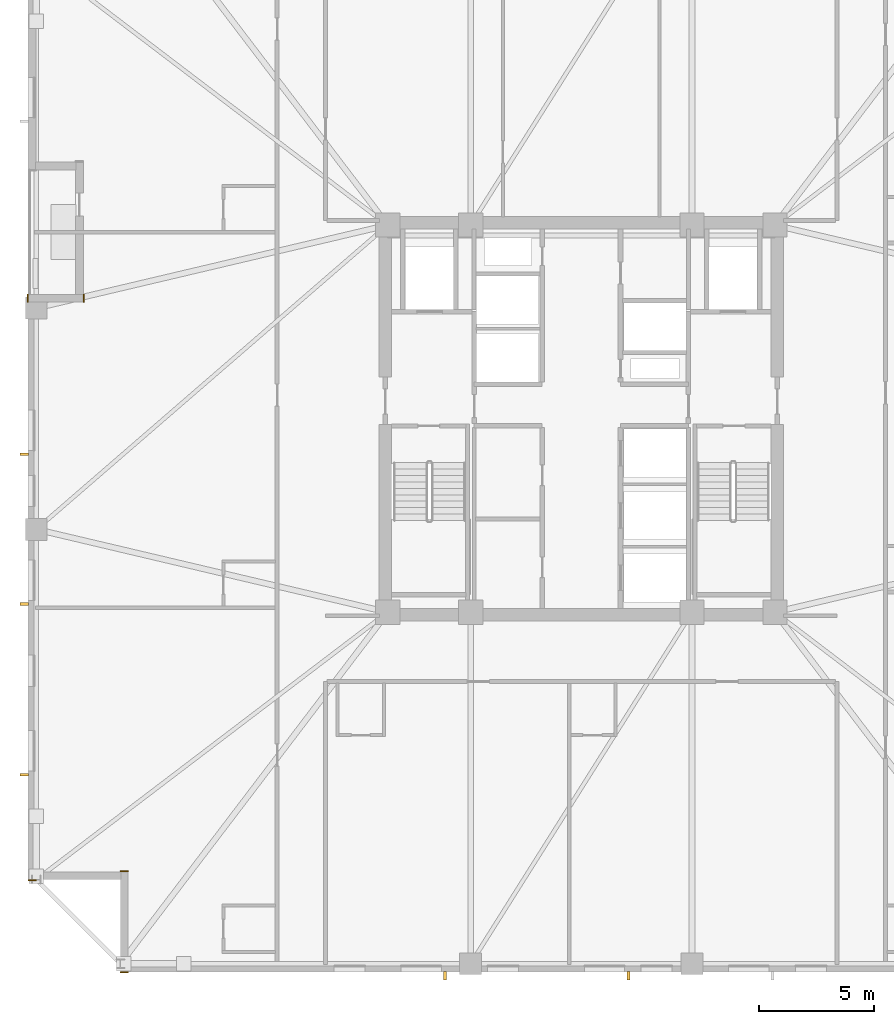
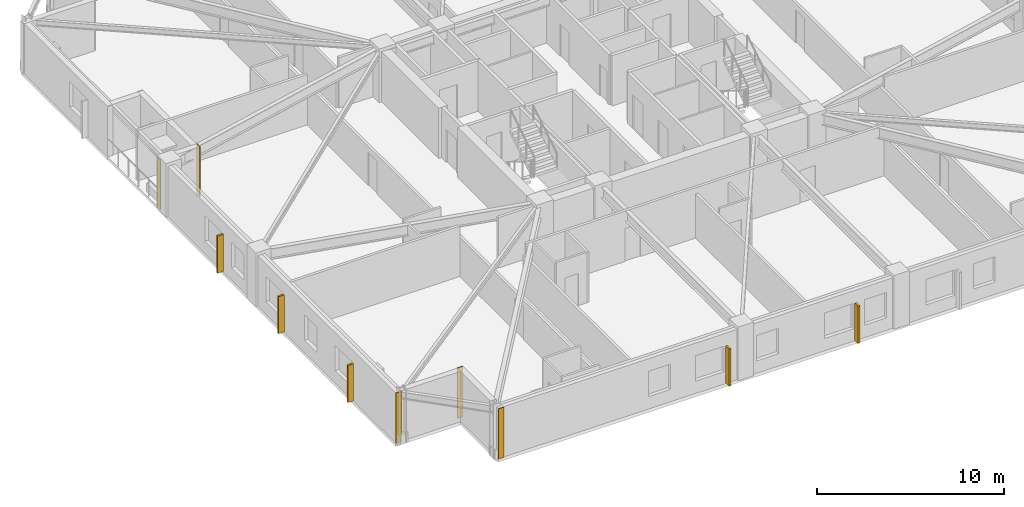
# One storey, part 6 of 10: 5 coverings, 5 shading devices.
"""IFC4 building model written with IfcOpenShell, lengths in metres."""

from ifc_helpers import new_model, si_unit, direction, frame, frame_2d, origin, origin_2d, place, context, subcontext, project, spatial, rectangle, extrude, material, layer, layer_set, type_object, element, save


model = new_model("IFC4")

# Units and contexts
model_context = context("Model", 3, precision=1e-05, world=origin(), true_north=direction((0.0, 1.0)))
body_context = subcontext(model_context, "Body", "Model", "MODEL_VIEW")
ifc_project = project(units=[si_unit("LENGTHUNIT", "METRE"), si_unit("AREAUNIT", "SQUARE_METRE"), si_unit("VOLUMEUNIT", "CUBIC_METRE"), si_unit("PLANEANGLEUNIT", "RADIAN"), si_unit("MASSUNIT", "GRAM", prefix="KILO")], contexts=[model_context])

# Site, building, storey
site_placement = place(None, origin())
site = spatial("IfcSite", under=ifc_project, at=site_placement, CompositionType="ELEMENT")
building_placement = place(site_placement, origin())
building = spatial("IfcBuilding", under=site, at=building_placement, Name="Cairnveth Concourse Tower", CompositionType="ELEMENT")
storey_placement = place(building_placement, frame((0.0, 0.0, 109.5)))
storey = spatial("IfcBuildingStorey", under=building, at=storey_placement, Name="L29", CompositionType="ELEMENT", Elevation=109.5)

# Coverings
ifc_material_1 = material(Name="Dressed Melbourne Bluestone Cladding", Category="masonry")
ifc_layer = layer(ifc_material_1, 0.050048828125)
ifc_layer_set = layer_set([ifc_layer], Name="Dressed Melbourne Bluestone Cladding")
covering_type = type_object("IfcCoveringType", Name="DRESSED BLUESTONE PLINTH CLADDING 50", PredefinedType="CLADDING", material=ifc_layer_set)
for number, where, z_axis, x_axis, name in (
    (1, (32.340087890625, 14.97998046875, 0.0), (0.0, 0.0, 1.0), (-1.0, 0.0, 0.0), "Melbourne Bluestone Corner Quoin L29-413"),
    (2, (32.340087890625, 19.360107421875, 0.0), (0.0, 0.0, 1.0), (-1.0, 0.0, 0.0), "Melbourne Bluestone Corner Quoin L29-414"),
    (3, (28.340087890625, 18.97998046875, 0.0), (0.0, 0.0, 1.0), (-1.0, 0.0, 0.0), "Melbourne Bluestone Corner Quoin L29-415"),
):
    element("IfcCovering", number, at=place(storey_placement, frame(where, z_axis=z_axis, x_axis=x_axis)), inside=storey, type_object=covering_type, Name=name, PredefinedType="CLADDING", context=body_context, shape_type="SweptSolid", body=[
        extrude(rectangle(XDim=0.340087890625, YDim=0.050048828125, at=frame_2d((0.169921875, 0.0))), origin(), (0.0, 0.0, 1.0), 3.280029296875),
    ])
for number, where, z_axis, x_axis, name in (
    (4, (27.97998046875, 44.06005859375, 0.0), (0.0, 0.0, 1.0), (0.0, 1.0, 0.0), "Melbourne Bluestone Corner Quoin L29-416"),
    (5, (30.409912109375, 44.06005859375, 0.0), (0.0, 0.0, 1.0), (0.0, 1.0, 0.0), "Melbourne Bluestone Corner Quoin L29-417"),
):
    element("IfcCovering", number, at=place(storey_placement, frame(where, z_axis=z_axis, x_axis=x_axis)), inside=storey, type_object=covering_type, Name=name, PredefinedType="CLADDING", context=body_context, shape_type="SweptSolid", body=[
        extrude(rectangle(XDim=0.33984375, YDim=0.050048828125, at=frame_2d((0.169921875, 0.0))), origin(), (0.0, 0.0, 1.0), 3.280029296875),
    ])

# Shading devices
ifc_material_2 = material(Name="Architectural Bronze Anodised Aluminium 6063-T6", Category="aluminium")
shading_device_type = type_object("IfcShadingDeviceType", Name="GOTHIC BRONZE VERTICAL LANCET FIN", PredefinedType="USERDEFINED", material=ifc_material_2)
for number, where, z_axis, x_axis, name in (
    (6, (54.0439453125, 14.824951171875, 0.030029296875), (0.0, 0.0, 1.0), (1.0, 0.0, 0.0), "Gothic Bronze Vertical Fin L29-9-5"),
    (7, (46.0869140625, 14.824951171875, 0.030029296875), (0.0, 0.0, 1.0), (1.0, 0.0, 0.0), "Gothic Bronze Vertical Fin L29-9-7"),
    (8, (27.824951171875, 23.55322265625, 0.030029296875), (0.0, 0.0, 1.0), (0.0, 1.0, 0.0), "Gothic Bronze Vertical Fin L29-12-1"),
    (9, (27.824951171875, 30.9560546875, 0.030029296875), (0.0, 0.0, 1.0), (0.0, 1.0, 0.0), "Gothic Bronze Vertical Fin L29-12-3"),
    (10, (27.824951171875, 37.458740234375, 0.030029296875), (0.0, 0.0, 1.0), (0.0, 1.0, 0.0), "Gothic Bronze Vertical Fin L29-12-5"),
):
    element("IfcShadingDevice", number, at=place(storey_placement, frame(where, z_axis=z_axis, x_axis=x_axis)), inside=storey, type_object=shading_device_type, Name=name, ObjectType="VERTICAL FIN", PredefinedType="USERDEFINED", context=body_context, shape_type="SweptSolid", body=[
        extrude(rectangle(XDim=0.1201171875, YDim=0.360107421875, at=origin_2d()), origin(), (0.0, 0.0, 1.0), 2.419921875),
    ])

save(model, "model.ifc")
